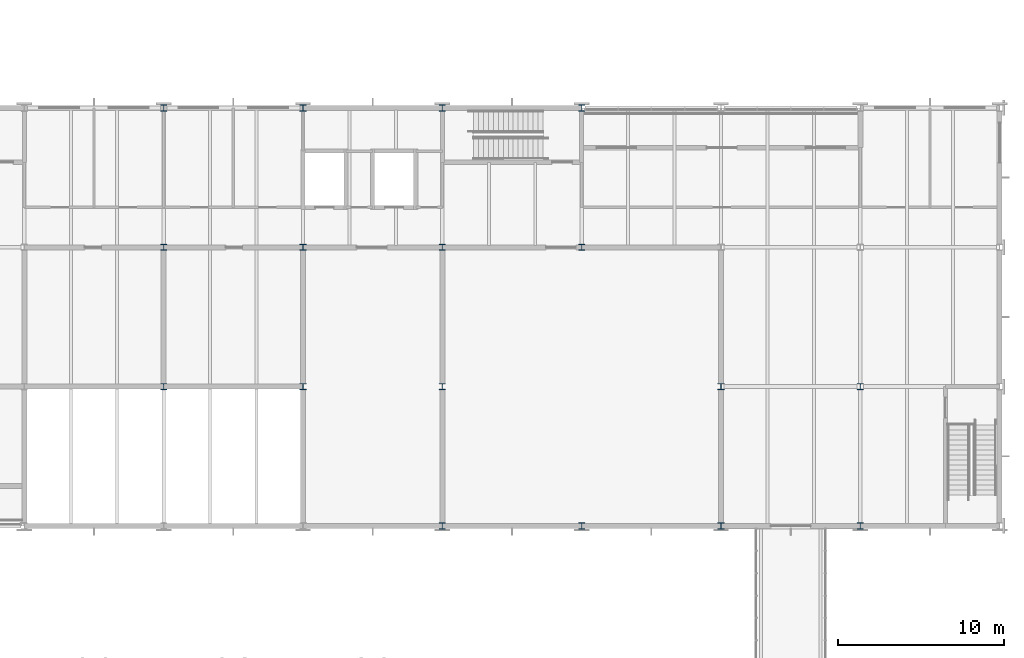
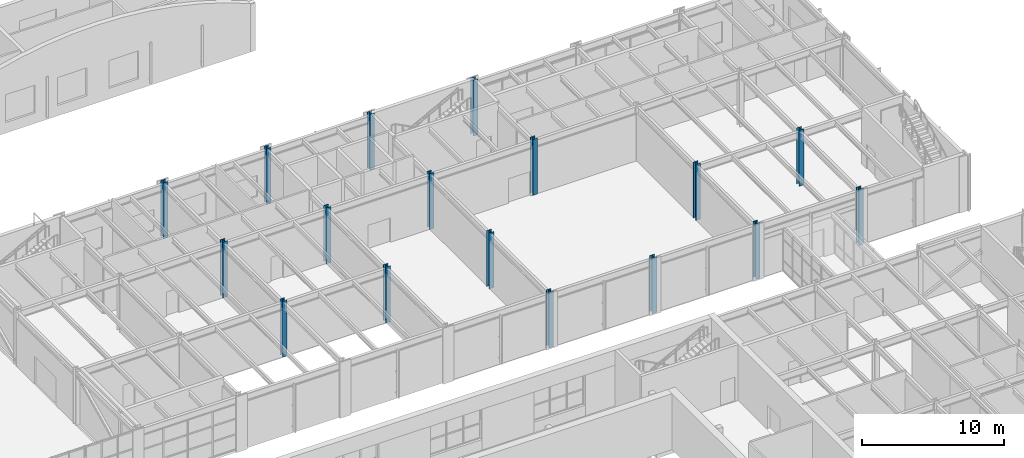
# One storey, part 13 of 127: 17 columns.
"""IFC4 building model written with IfcOpenShell, lengths in metres."""

from ifc_helpers import new_model, si_unit, direction, frame, origin, origin_2d, place, context, subcontext, project, spatial, i_section, extrude, material, material_profile, profile_set, type_object, element, save


model = new_model("IFC4")

# Units and contexts
model_context = context("Model", 3, precision=1e-05, world=origin(), true_north=direction((0.0, 1.0)))
body_context = subcontext(model_context, "Body", "Model", "MODEL_VIEW")
ifc_project = project(units=[si_unit("LENGTHUNIT", "METRE"), si_unit("AREAUNIT", "SQUARE_METRE"), si_unit("VOLUMEUNIT", "CUBIC_METRE"), si_unit("PLANEANGLEUNIT", "RADIAN"), si_unit("MASSUNIT", "GRAM", prefix="KILO")], contexts=[model_context])

# Site, building, storey
site_placement = place(None, origin())
site = spatial("IfcSite", under=ifc_project, at=site_placement, CompositionType="ELEMENT")
building_placement = place(site_placement, origin())
building = spatial("IfcBuilding", under=site, at=building_placement, Name="Ljudholm Concert House", CompositionType="ELEMENT")
storey_placement = place(building_placement, frame((0.0, 0.0, 5.39990234375)))
storey = spatial("IfcBuildingStorey", under=building, at=storey_placement, Name="L01", CompositionType="ELEMENT", Elevation=5.39990234375)

# Columns
ifc_material = material(Name="Steel ASTM A992", Category="steel")
ifc_material_profile = material_profile(ifc_material, i_section(OverallWidth=0.373291015625, OverallDepth=0.373291015625, WebThickness=0.016357421875, FlangeThickness=0.026123046875, FilletRadius=0.01513671875, at=origin_2d()), Name="W14X132")
ifc_profile_set = profile_set([ifc_material_profile], Name="Steel ASTM A992")
column_type = type_object("IfcColumnType", Name="STEEL COLUMN W14X132", PredefinedType="COLUMN", material=ifc_profile_set)
for number, where, z_axis, x_axis, name in (
    (1, (71.199951171875, 113.199951171875, 0.0), (0.0, 0.0, 1.0), (1.0, 0.0, 0.0), "Column STUDIO-L01-col-71.2-113.2"),
    (2, (71.199951171875, 121.60009765625, 0.0), (0.0, 0.0, 1.0), (1.0, 0.0, 0.0), "Column STUDIO-L01-col-71.2-121.6"),
    (3, (71.199951171875, 130.0, 0.0), (0.0, 0.0, 1.0), (1.0, 0.0, 0.0), "Column STUDIO-L01-col-71.2-130"),
    (4, (79.60009765625, 113.199951171875, 0.0), (0.0, 0.0, 1.0), (1.0, 0.0, 0.0), "Column STUDIO-L01-col-79.6-113.2"),
    (5, (79.60009765625, 121.60009765625, 0.0), (0.0, 0.0, 1.0), (1.0, 0.0, 0.0), "Column STUDIO-L01-col-79.6-121.6"),
    (6, (79.60009765625, 130.0, 0.0), (0.0, 0.0, 1.0), (1.0, 0.0, 0.0), "Column STUDIO-L01-col-79.6-130"),
    (7, (88.0, 104.800048828125, 0.0), (0.0, 0.0, 1.0), (1.0, 0.0, 0.0), "Column STUDIO-L01-col-88-104.8"),
    (8, (88.0, 113.199951171875, 0.0), (0.0, 0.0, 1.0), (1.0, 0.0, 0.0), "Column STUDIO-L01-col-88-113.2"),
    (9, (88.0, 121.60009765625, 0.0), (0.0, 0.0, 1.0), (1.0, 0.0, 0.0), "Column STUDIO-L01-col-88-121.6"),
    (10, (88.0, 130.0, 0.0), (0.0, 0.0, 1.0), (1.0, 0.0, 0.0), "Column STUDIO-L01-col-88-130"),
    (11, (96.39990234375, 104.800048828125, 0.0), (0.0, 0.0, 1.0), (1.0, 0.0, 0.0), "Column STUDIO-L01-col-96.4-104.8"),
    (12, (96.39990234375, 121.60009765625, 0.0), (0.0, 0.0, 1.0), (1.0, 0.0, 0.0), "Column STUDIO-L01-col-96.4-121.6"),
    (13, (96.39990234375, 130.0, 0.0), (0.0, 0.0, 1.0), (1.0, 0.0, 0.0), "Column STUDIO-L01-col-96.4-130"),
    (14, (104.800048828125, 104.800048828125, 0.0), (0.0, 0.0, 1.0), (1.0, 0.0, 0.0), "Column STUDIO-L01-col-104.8-104.8"),
    (15, (104.800048828125, 113.199951171875, 0.0), (0.0, 0.0, 1.0), (1.0, 0.0, 0.0), "Column STUDIO-L01-col-104.8-113.2"),
    (16, (113.199951171875, 104.800048828125, 0.0), (0.0, 0.0, 1.0), (1.0, 0.0, 0.0), "Column STUDIO-L01-col-113.2-104.8"),
    (17, (113.199951171875, 113.199951171875, 0.0), (0.0, 0.0, 1.0), (1.0, 0.0, 0.0), "Column STUDIO-L01-col-113.2-113.2"),
):
    element("IfcColumn", number, at=place(storey_placement, frame(where, z_axis=z_axis, x_axis=x_axis)), inside=storey, type_object=column_type, Name=name, PredefinedType="COLUMN", context=body_context, shape_type="SweptSolid", body=[
        extrude(i_section(OverallWidth=0.373291015625, OverallDepth=0.373291015625, WebThickness=0.016357421875, FlangeThickness=0.026123046875, FilletRadius=0.01513671875, at=origin_2d()), origin(), (0.0, 0.0, 1.0), 4.800048828125),
    ])

save(model, "model.ifc")
